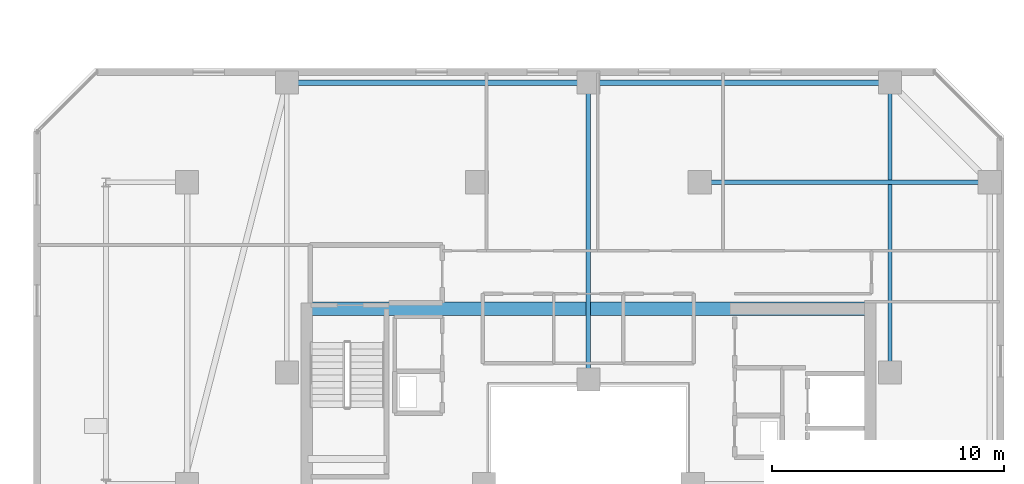
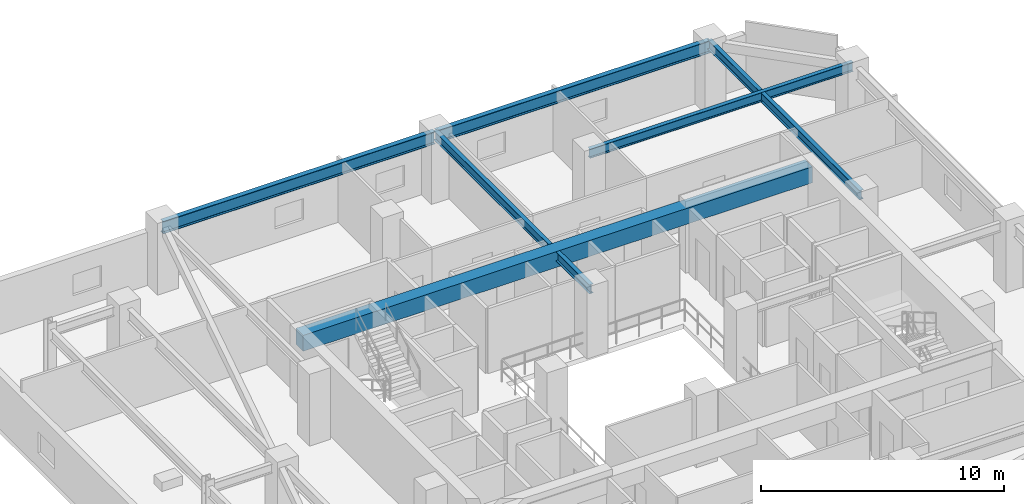
# One storey, part 16 of 33: 6 beams.
"""IFC4 building model written with IfcOpenShell, lengths in metres."""

from ifc_helpers import new_model, si_unit, direction, frame, origin, origin_2d, place, context, subcontext, project, spatial, rectangle, i_section, extrude, material, material_profile, profile_set, type_object, element, save


model = new_model("IFC4")

# Units and contexts
model_context = context("Model", 3, precision=1e-05, world=origin(), true_north=direction((0.0, 1.0)))
body_context = subcontext(model_context, "Body", "Model", "MODEL_VIEW")
ifc_project = project(units=[si_unit("LENGTHUNIT", "METRE"), si_unit("AREAUNIT", "SQUARE_METRE"), si_unit("VOLUMEUNIT", "CUBIC_METRE"), si_unit("PLANEANGLEUNIT", "RADIAN"), si_unit("MASSUNIT", "GRAM", prefix="KILO")], contexts=[model_context])

# Site, building, storey
site_placement = place(None, origin())
site = spatial("IfcSite", under=ifc_project, at=site_placement, CompositionType="ELEMENT")
building_placement = place(site_placement, origin())
building = spatial("IfcBuilding", under=site, at=building_placement, Name="Thornwick Lancets Civic Towers", CompositionType="ELEMENT")
storey_placement = place(building_placement, frame((0.0, 0.0, 218.10009765625)))
storey = spatial("IfcBuildingStorey", under=building, at=storey_placement, Name="L58", CompositionType="ELEMENT", Elevation=218.10009765625)

# Beams
ifc_material_1 = material(Name="Concrete C60/75", Category="concrete")
ifc_material_profile_1 = material_profile(ifc_material_1, rectangle(XDim=0.60009765625, YDim=0.800048828125, at=origin_2d()), Name="RC 600x800")
ifc_profile_set_1 = profile_set([ifc_material_profile_1], Name="Concrete C60/75")
beam_type_1 = type_object("IfcBeamType", Name="BM_COUP_RC800", PredefinedType="BEAM", material=ifc_profile_set_1)
beam_1_placement = place(storey_placement, frame((76.39990234375, 34.550048828125, 2.8798828125), z_axis=(1.0, 0.0, 0.0), x_axis=(0.0, 1.0, 0.0)))
element("IfcBeam", 1, at=beam_1_placement, inside=storey, type_object=beam_type_1, Name="CB-L58-B1", PredefinedType="BEAM", context=body_context, shape_type="SweptSolid", body=[
    extrude(rectangle(XDim=0.60009765625, YDim=0.800048828125, at=origin_2d()), origin(), (0.0, 0.0, 1.0), 24.2001953125),
])
ifc_material_2 = material(Name="Steel S355JR", Category="steel")
ifc_material_profile_2 = material_profile(ifc_material_2, i_section(OverallWidth=0.230224609375, OverallDepth=0.6171875, WebThickness=0.01318359375, FlangeThickness=0.022216796875, FilletRadius=0.0126953125, at=origin_2d()), Name="UKB 610x229x140")
ifc_profile_set_2 = profile_set([ifc_material_profile_2], Name="Steel S355JR")
beam_type_2 = type_object("IfcBeamType", Name="BM_GIRD_610_140", PredefinedType="BEAM", material=ifc_profile_set_2)
beam_2_placement = place(storey_placement, frame((101.5, 44.300048828125, 2.97119140625), z_axis=(-1.0, 0.0, 0.0), x_axis=(0.0, -1.0, 0.0)))
element("IfcBeam", 2, at=beam_2_placement, inside=storey, type_object=beam_type_2, Name="BM-SPINE-L58-B-3-4", PredefinedType="BEAM", context=body_context, shape_type="SweptSolid", body=[
    extrude(i_section(OverallWidth=0.230224609375, OverallDepth=0.6171875, WebThickness=0.01318359375, FlangeThickness=0.022216796875, FilletRadius=0.0126953125, at=origin_2d()), origin(), (0.0, 0.0, 1.0), 13.0),
])
beam_3_placement = place(storey_placement, frame((88.419921875, 44.300048828125, 2.97119140625), z_axis=(-1.0, 0.0, 0.0), x_axis=(0.0, -1.0, 0.0)))
element("IfcBeam", 3, at=beam_3_placement, inside=storey, type_object=beam_type_2, Name="BM-SPINE-L58-B-4-5", PredefinedType="BEAM", context=body_context, shape_type="SweptSolid", body=[
    extrude(i_section(OverallWidth=0.230224609375, OverallDepth=0.6171875, WebThickness=0.01318359375, FlangeThickness=0.022216796875, FilletRadius=0.0126953125, at=origin_2d()), origin(), (0.0, 0.0, 1.0), 12.919921875),
])
ifc_material_profile_3 = material_profile(ifc_material_2, i_section(OverallWidth=0.19189453125, OverallDepth=0.46337890625, WebThickness=0.010498046875, FlangeThickness=0.017578125, FilletRadius=0.01025390625, at=origin_2d()), Name="UKB 457x191x89")
ifc_profile_set_3 = profile_set([ifc_material_profile_3], Name="Steel S355JR")
beam_type_3 = type_object("IfcBeamType", Name="BM_JOIST_457_89", PredefinedType="JOIST", material=ifc_profile_set_3)
for number, where, z_axis, x_axis, name in (
    (4, (93.300048828125, 40.0, 3.048095703125), (1.0, 0.0, 0.0), (0.0, 1.0, 0.0), "BM-RADIN-L58-B03"),
    (5, (101.5, 31.800048828125, 3.048095703125), (0.0, 1.0, 0.0), (-1.0, 0.0, 0.0), "BM-RADIN-L58-B04"),
):
    element("IfcBeam", number, at=place(storey_placement, frame(where, z_axis=z_axis, x_axis=x_axis)), inside=storey, type_object=beam_type_3, Name=name, PredefinedType="JOIST", context=body_context, shape_type="SweptSolid", body=[
        extrude(i_section(OverallWidth=0.19189453125, OverallDepth=0.46337890625, WebThickness=0.010498046875, FlangeThickness=0.017578125, FilletRadius=0.01025390625, at=origin_2d()), origin(), (0.0, 0.0, 1.0), 12.5),
    ])
beam_4_placement = place(storey_placement, frame((88.5, 31.5, 3.048095703125), z_axis=(0.0, 1.0, 0.0), x_axis=(-1.0, 0.0, 0.0)))
element("IfcBeam", 6, at=beam_4_placement, inside=storey, type_object=beam_type_3, Name="BM-RADIN-L58-B05", PredefinedType="JOIST", context=body_context, shape_type="SweptSolid", body=[
    extrude(i_section(OverallWidth=0.19189453125, OverallDepth=0.46337890625, WebThickness=0.010498046875, FlangeThickness=0.017578125, FilletRadius=0.01025390625, at=origin_2d()), origin(), (0.0, 0.0, 1.0), 12.800048828125),
])

save(model, "model.ifc")
